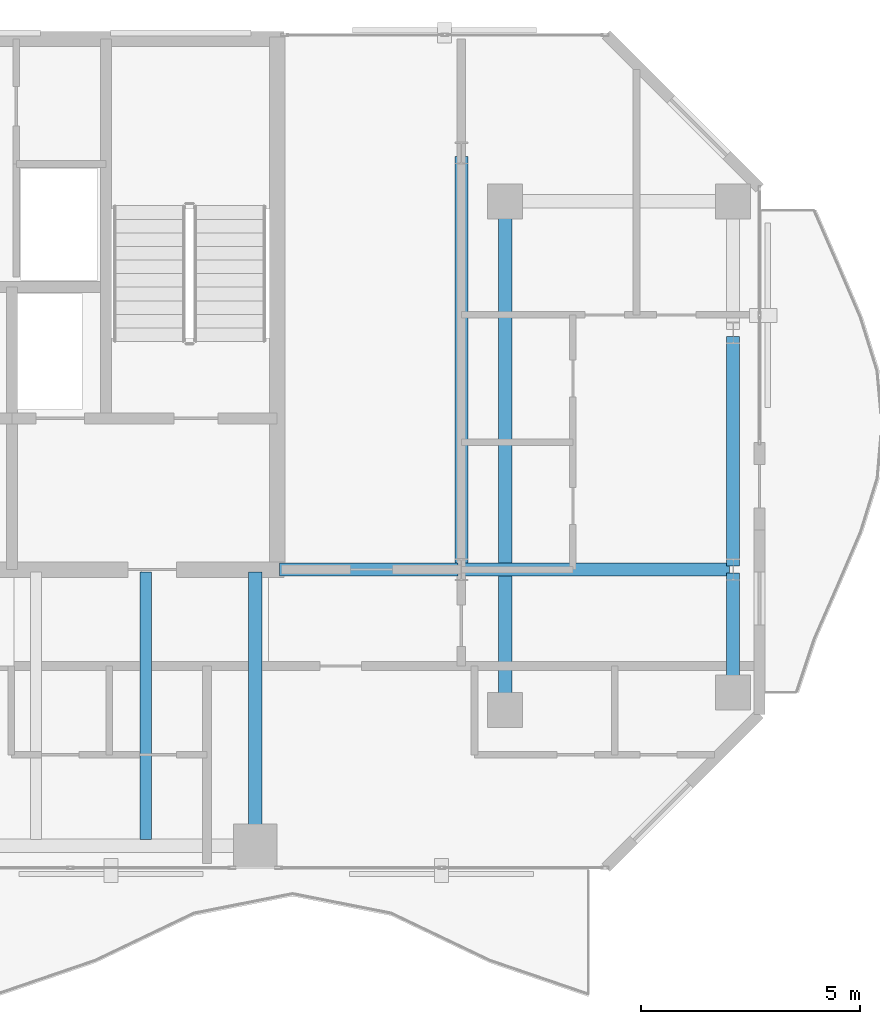
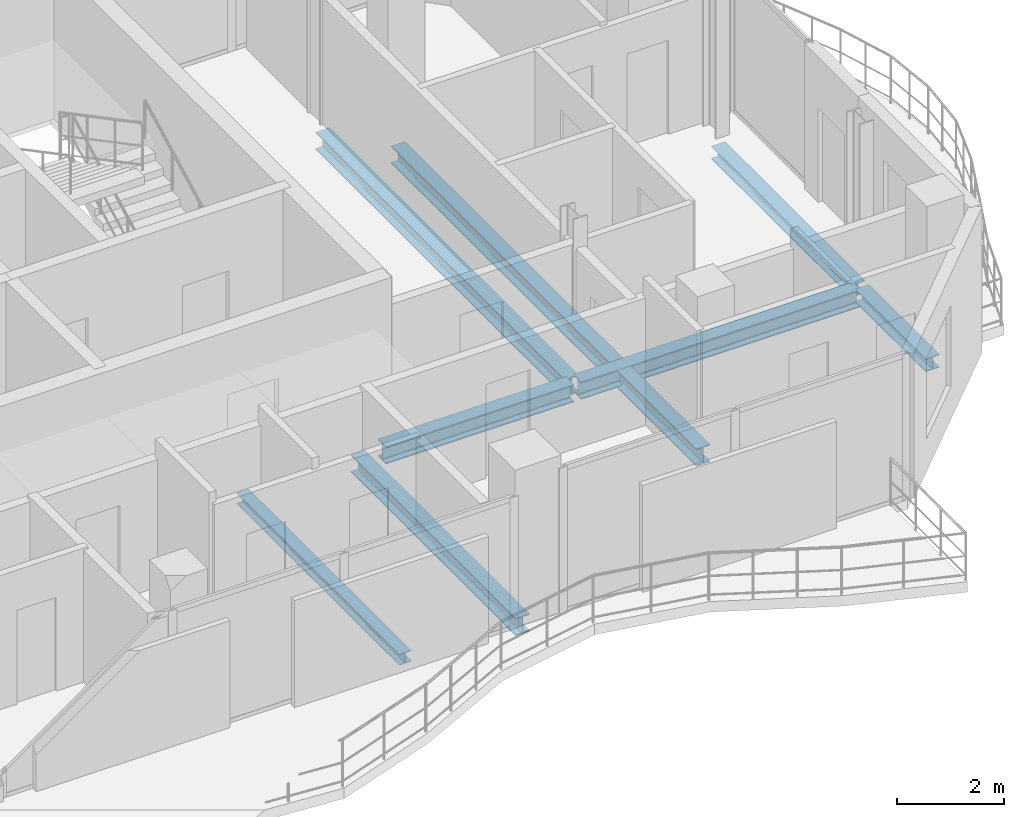
# One storey, part 13 of 23: 8 beams.
"""IFC4 building model written with IfcOpenShell, lengths in metres."""

from ifc_helpers import new_model, si_unit, direction, frame, origin, origin_2d, place, context, subcontext, project, spatial, i_section, extrude, material, material_profile, profile_set, type_object, element, save


model = new_model("IFC4")

# Units and contexts
model_context = context("Model", 3, precision=1e-05, world=origin(), true_north=direction((0.0, 1.0)))
body_context = subcontext(model_context, "Body", "Model", "MODEL_VIEW")
ifc_project = project(units=[si_unit("LENGTHUNIT", "METRE"), si_unit("AREAUNIT", "SQUARE_METRE"), si_unit("VOLUMEUNIT", "CUBIC_METRE"), si_unit("PLANEANGLEUNIT", "RADIAN"), si_unit("MASSUNIT", "GRAM", prefix="KILO")], contexts=[model_context])

# Site, building, storey
site_placement = place(None, origin())
site = spatial("IfcSite", under=ifc_project, at=site_placement, CompositionType="ELEMENT")
building_placement = place(site_placement, origin())
building = spatial("IfcBuilding", under=site, at=building_placement, Name="Catumbela Crestline Tower", CompositionType="ELEMENT")
storey_placement = place(building_placement, frame((0.0, 0.0, 179.4)))
storey = spatial("IfcBuildingStorey", under=building, at=storey_placement, Name="L46", CompositionType="ELEMENT", Elevation=179.4)

# Beams
ifc_material = material(Name="Structural steel S355J2", Category="steel")
ifc_material_profile_1 = material_profile(ifc_material, i_section(OverallWidth=0.3, OverallDepth=0.4, WebThickness=0.0135, FlangeThickness=0.024, FilletRadius=0.027, at=origin_2d()), Name="HEB 400")
ifc_profile_set_1 = profile_set([ifc_material_profile_1], Name="Structural steel S355J2")
beam_type_1 = type_object("IfcBeamType", Name="BG-HEB400", PredefinedType="BEAM", material=ifc_profile_set_1)
beam_1_placement = place(storey_placement, frame((40.05, 30.8, -0.46), z_axis=(1.0, 0.0, 0.0), x_axis=(0.0, 1.0, 0.0)))
element("IfcBeam", 1, at=beam_1_placement, inside=storey, type_object=beam_type_1, Name="L46 Beam BM-L46-M08", PredefinedType="BEAM", context=body_context, shape_type="SweptSolid", body=[
    extrude(i_section(OverallWidth=0.3, OverallDepth=0.4, WebThickness=0.0135, FlangeThickness=0.024, FilletRadius=0.027, at=origin_2d()), origin(), (0.0, 0.0, 1.0), 4.07),
])
beam_2_placement = place(storey_placement, frame((44.28, 30.8, -0.46), z_axis=(1.0, 0.0, 0.0), x_axis=(0.0, 1.0, 0.0)))
element("IfcBeam", 2, at=beam_2_placement, inside=storey, type_object=beam_type_1, Name="L46 Beam BM-L46-M09", PredefinedType="BEAM", context=body_context, shape_type="SweptSolid", body=[
    extrude(i_section(OverallWidth=0.3, OverallDepth=0.4, WebThickness=0.0135, FlangeThickness=0.024, FilletRadius=0.027, at=origin_2d()), origin(), (0.0, 0.0, 1.0), 6.04),
])
beam_3_placement = place(storey_placement, frame((39.5, 24.58, -0.46), z_axis=(0.0, 1.0, 0.0), x_axis=(-1.0, 0.0, 0.0)))
element("IfcBeam", 3, at=beam_3_placement, inside=storey, type_object=beam_type_1, Name="L46 Beam BM-L46-SNS20", PredefinedType="BEAM", context=body_context, shape_type="SweptSolid", body=[
    extrude(i_section(OverallWidth=0.3, OverallDepth=0.4, WebThickness=0.0135, FlangeThickness=0.024, FilletRadius=0.027, at=origin_2d()), origin(), (0.0, 0.0, 1.0), 6.17),
])
beam_4_placement = place(storey_placement, frame((44.2, 30.88, -0.46), z_axis=(0.0, 1.0, 0.0), x_axis=(-1.0, 0.0, 0.0)))
element("IfcBeam", 4, at=beam_4_placement, inside=storey, type_object=beam_type_1, Name="L46 Beam BM-L46-SN21", PredefinedType="BEAM", context=body_context, shape_type="SweptSolid", body=[
    extrude(i_section(OverallWidth=0.3, OverallDepth=0.4, WebThickness=0.0135, FlangeThickness=0.024, FilletRadius=0.027, at=origin_2d()), origin(), (0.0, 0.0, 1.0), 9.34),
])
beam_5_placement = place(storey_placement, frame((45.2, 27.68, -0.46), z_axis=(0.0, 1.0, 0.0), x_axis=(-1.0, 0.0, 0.0)))
element("IfcBeam", 5, at=beam_5_placement, inside=storey, type_object=beam_type_1, Name="L46 Beam BM-L46-SN22", PredefinedType="BEAM", context=body_context, shape_type="SweptSolid", body=[
    extrude(i_section(OverallWidth=0.3, OverallDepth=0.4, WebThickness=0.0135, FlangeThickness=0.024, FilletRadius=0.027, at=origin_2d()), origin(), (0.0, 0.0, 1.0), 11.44),
])
ifc_material_profile_2 = material_profile(ifc_material, i_section(OverallWidth=0.26, OverallDepth=0.25, WebThickness=0.0075, FlangeThickness=0.0125, FilletRadius=0.024, at=origin_2d()), Name="HEA 260")
ifc_profile_set_2 = profile_set([ifc_material_profile_2], Name="Structural steel S355J2")
beam_type_2 = type_object("IfcBeamType", Name="BJ-HEA260", PredefinedType="JOIST", material=ifc_profile_set_2)
beam_6_placement = place(storey_placement, frame((37.0, 24.647, -0.385), z_axis=(0.0, 1.0, 0.0), x_axis=(-1.0, 0.0, 0.0)))
element("IfcBeam", 6, at=beam_6_placement, inside=storey, type_object=beam_type_2, Name="L46 Joist JS-L46-SP31", PredefinedType="JOIST", context=body_context, shape_type="SweptSolid", body=[
    extrude(i_section(OverallWidth=0.26, OverallDepth=0.25, WebThickness=0.0075, FlangeThickness=0.0125, FilletRadius=0.024, at=origin_2d()), origin(), (0.0, 0.0, 1.0), 6.103),
])
ifc_material_profile_3 = material_profile(ifc_material, i_section(OverallWidth=0.3, OverallDepth=0.3, WebThickness=0.011, FlangeThickness=0.019, FilletRadius=0.027, at=origin_2d()), Name="HEB 300")
ifc_profile_set_3 = profile_set([ifc_material_profile_3], Name="Structural steel S355J2")
beam_type_3 = type_object("IfcBeamType", Name="BS-HEB300", PredefinedType="SPANDREL", material=ifc_profile_set_3)
beam_7_placement = place(storey_placement, frame((50.4, 28.08, -0.41), z_axis=(0.0, 1.0, 0.0), x_axis=(-1.0, 0.0, 0.0)))
element("IfcBeam", 7, at=beam_7_placement, inside=storey, type_object=beam_type_3, Name="L46 Spandrel SP-L46-SN23", PredefinedType="SPANDREL", context=body_context, shape_type="SweptSolid", body=[
    extrude(i_section(OverallWidth=0.3, OverallDepth=0.3, WebThickness=0.011, FlangeThickness=0.019, FilletRadius=0.027, at=origin_2d()), origin(), (0.0, 0.0, 1.0), 2.64),
])
beam_8_placement = place(storey_placement, frame((50.4, 30.88, -0.41), z_axis=(0.0, 1.0, 0.0), x_axis=(-1.0, 0.0, 0.0)))
element("IfcBeam", 8, at=beam_8_placement, inside=storey, type_object=beam_type_3, Name="L46 Spandrel SP-L46-SN24", PredefinedType="SPANDREL", context=body_context, shape_type="SweptSolid", body=[
    extrude(i_section(OverallWidth=0.3, OverallDepth=0.3, WebThickness=0.011, FlangeThickness=0.019, FilletRadius=0.027, at=origin_2d()), origin(), (0.0, 0.0, 1.0), 5.24),
])

save(model, "model.ifc")
